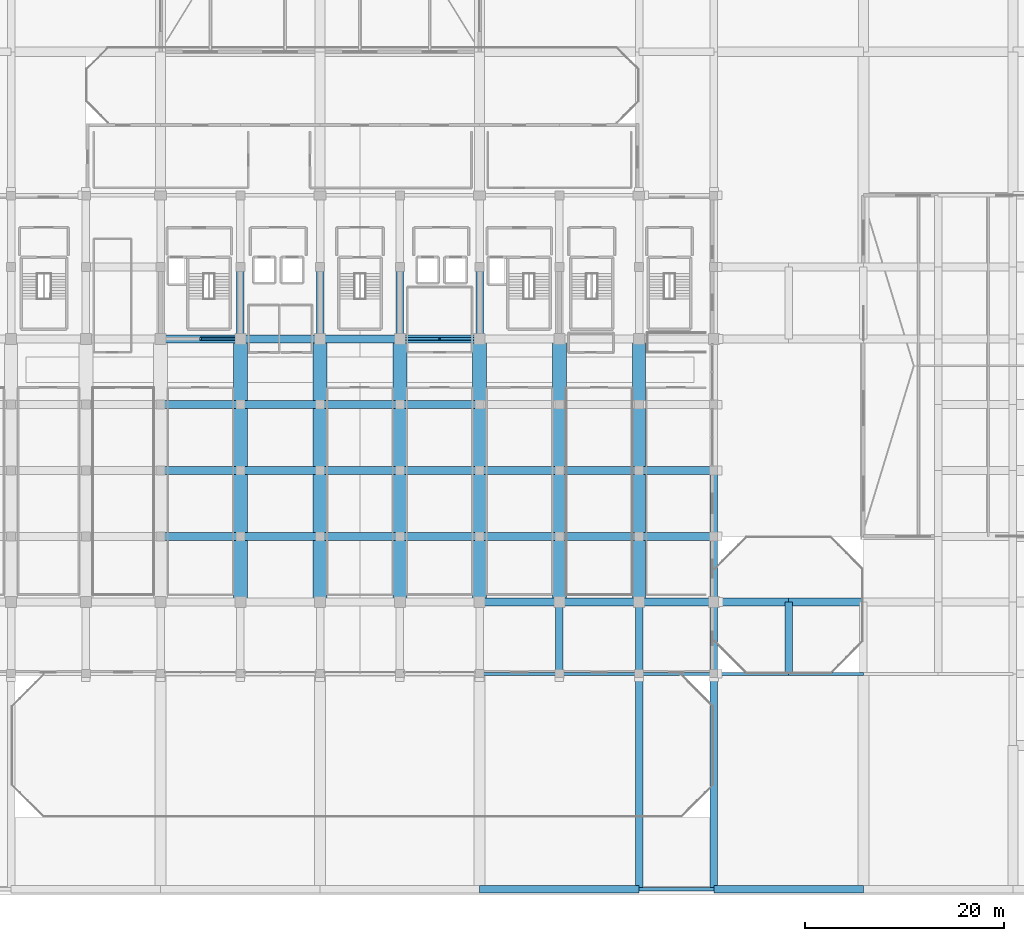
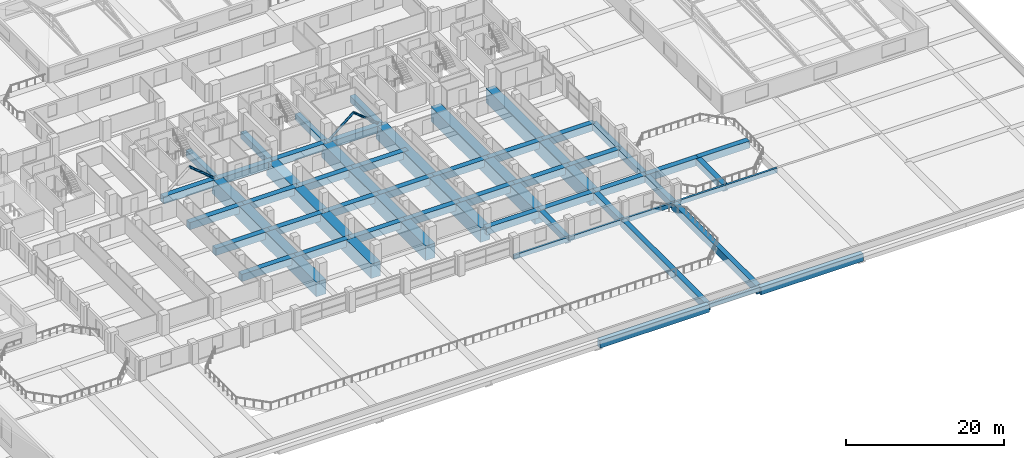
# One storey, part 15 of 49: 53 beams, 3 members.
"""IFC4 building model written with IfcOpenShell, lengths in metres."""

from ifc_helpers import new_model, si_unit, direction, frame, origin, origin_2d, place, context, subcontext, project, spatial, rectangle, hollow_circle, extrude, material, material_profile, profile_set, type_object, element, save


model = new_model("IFC4")

# Units and contexts
model_context = context("Model", 3, precision=1e-05, world=origin(), true_north=direction((0.0, 1.0)))
body_context = subcontext(model_context, "Body", "Model", "MODEL_VIEW")
ifc_project = project(units=[si_unit("LENGTHUNIT", "METRE"), si_unit("AREAUNIT", "SQUARE_METRE"), si_unit("VOLUMEUNIT", "CUBIC_METRE"), si_unit("PLANEANGLEUNIT", "RADIAN"), si_unit("MASSUNIT", "GRAM", prefix="KILO")], contexts=[model_context])

# Site, building, storey
site_placement = place(None, origin())
site = spatial("IfcSite", under=ifc_project, at=site_placement, CompositionType="ELEMENT")
building_placement = place(site_placement, origin())
building = spatial("IfcBuilding", under=site, at=building_placement, Name="Akrevak Sports Hall", CompositionType="ELEMENT")
storey_placement = place(building_placement, frame((0.0, 0.0, 24.14990234375)))
storey = spatial("IfcBuildingStorey", under=building, at=storey_placement, Name="L04", CompositionType="ELEMENT", Elevation=24.14990234375)

# Beams
ifc_material_1 = material(Name="Concrete C50/60", Category="concrete")
ifc_material_profile_1 = material_profile(ifc_material_1, rectangle(XDim=1.300048828125, YDim=2.25, at=origin_2d()), Name="PTG 1300x2250", Category="concrete")
ifc_profile_set_1 = profile_set([ifc_material_profile_1], Name="Concrete C50/60")
beam_type_1 = type_object("IfcBeamType", Name="PT-Transfer-Girder-1300x2250", PredefinedType="USERDEFINED", material=ifc_profile_set_1)
beam_1_placement = place(storey_placement, frame((108.0, 28.800048828125, -1.125), z_axis=(0.0, 1.0, 0.0), x_axis=(-1.0, 0.0, 0.0)))
element("IfcBeam", 1, at=beam_1_placement, inside=storey, type_object=beam_type_1, Name="PT Transfer Girder PTG-L04-15 (26.4m Clear Span)", ObjectType="PT TRANSFER GIRDER", PredefinedType="USERDEFINED", context=body_context, shape_type="SweptSolid", body=[
    extrude(rectangle(XDim=1.300048828125, YDim=2.25, at=origin_2d()), origin(), (0.0, 0.0, 1.0), 26.39990234375),
])
ifc_material_profile_2 = material_profile(ifc_material_1, rectangle(XDim=1.39990234375, YDim=2.25, at=origin_2d()), Name="PTG 1400x2250", Category="concrete")
ifc_profile_set_2 = profile_set([ifc_material_profile_2], Name="Concrete C50/60")
beam_type_2 = type_object("IfcBeamType", Name="PT-Transfer-Girder-1400x2250", PredefinedType="USERDEFINED", material=ifc_profile_set_2)
for number, where, z_axis, x_axis, name in (
    (2, (68.0, 28.800048828125, -1.125), (0.0, 1.0, 0.0), (-1.0, 0.0, 0.0), "PT Transfer Girder PTG-L04-10 (26.4m Clear Span)"),
    (3, (76.0, 28.800048828125, -1.125), (0.0, 1.0, 0.0), (-1.0, 0.0, 0.0), "PT Transfer Girder PTG-L04-11 (26.4m Clear Span)"),
    (4, (84.0, 28.800048828125, -1.125), (0.0, 1.0, 0.0), (-1.0, 0.0, 0.0), "PT Transfer Girder PTG-L04-12 (26.4m Clear Span)"),
    (5, (92.0, 28.800048828125, -1.125), (0.0, 1.0, 0.0), (-1.0, 0.0, 0.0), "PT Transfer Girder PTG-L04-13 (26.4m Clear Span)"),
    (6, (100.0, 28.800048828125, -1.125), (0.0, 1.0, 0.0), (-1.0, 0.0, 0.0), "PT Transfer Girder PTG-L04-14 (26.4m Clear Span)"),
):
    element("IfcBeam", number, at=place(storey_placement, frame(where, z_axis=z_axis, x_axis=x_axis)), inside=storey, type_object=beam_type_2, Name=name, ObjectType="PT TRANSFER GIRDER", PredefinedType="USERDEFINED", context=body_context, shape_type="SweptSolid", body=[
        extrude(rectangle(XDim=1.39990234375, YDim=2.25, at=origin_2d()), origin(), (0.0, 0.0, 1.0), 26.39990234375),
    ])
ifc_material_profile_3 = material_profile(ifc_material_1, rectangle(XDim=0.75, YDim=1.0, at=origin_2d()), Name="BM 750x1000", Category="concrete")
ifc_profile_set_3 = profile_set([ifc_material_profile_3], Name="Concrete C50/60")
beam_type_3 = type_object("IfcBeamType", Name="STR-BM-RC750x1000", PredefinedType="BEAM", material=ifc_profile_set_3)
for number, where, z_axis, x_axis, name in (
    (7, (68.0, 55.199951171875, -0.5), (0.0, 1.0, 0.0), (-1.0, 0.0, 0.0), "Girder 10/I-J (L04)"),
    (8, (76.0, 55.199951171875, -0.5), (0.0, 1.0, 0.0), (-1.0, 0.0, 0.0), "Girder 11/I-J (L04)"),
    (9, (84.0, 55.199951171875, -0.5), (0.0, 1.0, 0.0), (-1.0, 0.0, 0.0), "Girder 12/I-J (L04)"),
    (10, (92.0, 55.199951171875, -0.5), (0.0, 1.0, 0.0), (-1.0, 0.0, 0.0), "Girder 13/I-J (L04)"),
    (11, (100.0, 21.60009765625, -0.5), (0.0, 1.0, 0.0), (-1.0, 0.0, 0.0), "Girder 14/D-E (L04)"),
    (12, (108.0, 21.60009765625, -0.5), (0.0, 1.0, 0.0), (-1.0, 0.0, 0.0), "Girder 15/D-E (L04)"),
    (13, (115.5, 21.60009765625, -0.5), (0.0, 1.0, 0.0), (-1.0, 0.0, 0.0), "Girder 16/D-E (L04)"),
):
    element("IfcBeam", number, at=place(storey_placement, frame(where, z_axis=z_axis, x_axis=x_axis)), inside=storey, type_object=beam_type_3, Name=name, PredefinedType="BEAM", context=body_context, shape_type="SweptSolid", body=[
        extrude(rectangle(XDim=0.75, YDim=1.0, at=origin_2d()), origin(), (0.0, 0.0, 1.0), 7.199951171875),
    ])
beam_2_placement = place(storey_placement, frame((115.5, 28.800048828125, -0.5), z_axis=(0.0, 1.0, 0.0), x_axis=(-1.0, 0.0, 0.0)))
element("IfcBeam", 14, at=beam_2_placement, inside=storey, type_object=beam_type_3, Name="Girder 16/E-F (L04)", PredefinedType="BEAM", context=body_context, shape_type="SweptSolid", body=[
    extrude(rectangle(XDim=0.75, YDim=1.0, at=origin_2d()), origin(), (0.0, 0.0, 1.0), 6.599853515625),
])
beam_3_placement = place(storey_placement, frame((115.5, 35.39990234375, -0.5), z_axis=(0.0, 1.0, 0.0), x_axis=(-1.0, 0.0, 0.0)))
element("IfcBeam", 15, at=beam_3_placement, inside=storey, type_object=beam_type_3, Name="Girder 16/F-G (L04)", PredefinedType="BEAM", context=body_context, shape_type="SweptSolid", body=[
    extrude(rectangle(XDim=0.75, YDim=1.0, at=origin_2d()), origin(), (0.0, 0.0, 1.0), 6.60009765625),
])
beam_4_placement = place(storey_placement, frame((123.0, 21.60009765625, -0.5), z_axis=(0.0, 1.0, 0.0), x_axis=(-1.0, 0.0, 0.0)))
element("IfcBeam", 16, at=beam_4_placement, inside=storey, type_object=beam_type_3, Name="Girder 17/D-E (L04)", PredefinedType="BEAM", context=body_context, shape_type="SweptSolid", body=[
    extrude(rectangle(XDim=0.75, YDim=1.0, at=origin_2d()), origin(), (0.0, 0.0, 1.0), 7.199951171875),
])
ifc_material_profile_4 = material_profile(ifc_material_1, rectangle(XDim=0.800048828125, YDim=1.10009765625, at=origin_2d()), Name="BM 800x1100", Category="concrete")
ifc_profile_set_4 = profile_set([ifc_material_profile_4], Name="Concrete C50/60")
beam_type_4 = type_object("IfcBeamType", Name="STR-BM-RC800x1100", PredefinedType="BEAM", material=ifc_profile_set_4)
for number, where, z_axis, x_axis, name in (
    (17, (92.0, 28.800048828125, -0.5498046875), (1.0, 0.0, 0.0), (0.0, 1.0, 0.0), "Girder E/13-14 (L04)"),
    (18, (100.0, 28.800048828125, -0.5498046875), (1.0, 0.0, 0.0), (0.0, 1.0, 0.0), "Girder E/14-15 (L04)"),
):
    element("IfcBeam", number, at=place(storey_placement, frame(where, z_axis=z_axis, x_axis=x_axis)), inside=storey, type_object=beam_type_4, Name=name, PredefinedType="BEAM", context=body_context, shape_type="SweptSolid", body=[
        extrude(rectangle(XDim=0.800048828125, YDim=1.10009765625, at=origin_2d()), origin(), (0.0, 0.0, 1.0), 8.0),
    ])
for number, where, z_axis, x_axis, name in (
    (19, (108.0, 28.800048828125, -0.5498046875), (1.0, 0.0, 0.0), (0.0, 1.0, 0.0), "Girder E/15-16 (L04)"),
    (20, (115.5, 28.800048828125, -0.5498046875), (1.0, 0.0, 0.0), (0.0, 1.0, 0.0), "Girder E/16-17 (L04)"),
    (21, (123.0, 28.800048828125, -0.5498046875), (1.0, 0.0, 0.0), (0.0, 1.0, 0.0), "Girder E/17-18 (L04)"),
):
    element("IfcBeam", number, at=place(storey_placement, frame(where, z_axis=z_axis, x_axis=x_axis)), inside=storey, type_object=beam_type_4, Name=name, PredefinedType="BEAM", context=body_context, shape_type="SweptSolid", body=[
        extrude(rectangle(XDim=0.800048828125, YDim=1.10009765625, at=origin_2d()), origin(), (0.0, 0.0, 1.0), 7.5),
    ])
for number, where, z_axis, x_axis, name in (
    (22, (60.0, 35.39990234375, -0.5498046875), (1.0, 0.0, 0.0), (0.0, 1.0, 0.0), "Girder F/9-10 (L04)"),
    (23, (68.0, 35.39990234375, -0.5498046875), (1.0, 0.0, 0.0), (0.0, 1.0, 0.0), "Girder F/10-11 (L04)"),
    (24, (76.0, 35.39990234375, -0.5498046875), (1.0, 0.0, 0.0), (0.0, 1.0, 0.0), "Girder F/11-12 (L04)"),
    (25, (84.0, 35.39990234375, -0.5498046875), (1.0, 0.0, 0.0), (0.0, 1.0, 0.0), "Girder F/12-13 (L04)"),
    (26, (92.0, 35.39990234375, -0.5498046875), (1.0, 0.0, 0.0), (0.0, 1.0, 0.0), "Girder F/13-14 (L04)"),
    (27, (100.0, 35.39990234375, -0.5498046875), (1.0, 0.0, 0.0), (0.0, 1.0, 0.0), "Girder F/14-15 (L04)"),
):
    element("IfcBeam", number, at=place(storey_placement, frame(where, z_axis=z_axis, x_axis=x_axis)), inside=storey, type_object=beam_type_4, Name=name, PredefinedType="BEAM", context=body_context, shape_type="SweptSolid", body=[
        extrude(rectangle(XDim=0.800048828125, YDim=1.10009765625, at=origin_2d()), origin(), (0.0, 0.0, 1.0), 8.0),
    ])
beam_5_placement = place(storey_placement, frame((108.0, 35.39990234375, -0.5498046875), z_axis=(1.0, 0.0, 0.0), x_axis=(0.0, 1.0, 0.0)))
element("IfcBeam", 28, at=beam_5_placement, inside=storey, type_object=beam_type_4, Name="Girder F/15-16 (L04)", PredefinedType="BEAM", context=body_context, shape_type="SweptSolid", body=[
    extrude(rectangle(XDim=0.800048828125, YDim=1.10009765625, at=origin_2d()), origin(), (0.0, 0.0, 1.0), 7.5),
])
for number, where, z_axis, x_axis, name in (
    (29, (60.0, 42.0, -0.5498046875), (1.0, 0.0, 0.0), (0.0, 1.0, 0.0), "Girder G/9-10 (L04)"),
    (30, (68.0, 42.0, -0.5498046875), (1.0, 0.0, 0.0), (0.0, 1.0, 0.0), "Girder G/10-11 (L04)"),
    (31, (76.0, 42.0, -0.5498046875), (1.0, 0.0, 0.0), (0.0, 1.0, 0.0), "Girder G/11-12 (L04)"),
    (32, (84.0, 42.0, -0.5498046875), (1.0, 0.0, 0.0), (0.0, 1.0, 0.0), "Girder G/12-13 (L04)"),
    (33, (92.0, 42.0, -0.5498046875), (1.0, 0.0, 0.0), (0.0, 1.0, 0.0), "Girder G/13-14 (L04)"),
    (34, (100.0, 42.0, -0.5498046875), (1.0, 0.0, 0.0), (0.0, 1.0, 0.0), "Girder G/14-15 (L04)"),
):
    element("IfcBeam", number, at=place(storey_placement, frame(where, z_axis=z_axis, x_axis=x_axis)), inside=storey, type_object=beam_type_4, Name=name, PredefinedType="BEAM", context=body_context, shape_type="SweptSolid", body=[
        extrude(rectangle(XDim=0.800048828125, YDim=1.10009765625, at=origin_2d()), origin(), (0.0, 0.0, 1.0), 8.0),
    ])
beam_6_placement = place(storey_placement, frame((108.0, 42.0, -0.5498046875), z_axis=(1.0, 0.0, 0.0), x_axis=(0.0, 1.0, 0.0)))
element("IfcBeam", 35, at=beam_6_placement, inside=storey, type_object=beam_type_4, Name="Girder G/15-16 (L04)", PredefinedType="BEAM", context=body_context, shape_type="SweptSolid", body=[
    extrude(rectangle(XDim=0.800048828125, YDim=1.10009765625, at=origin_2d()), origin(), (0.0, 0.0, 1.0), 7.5),
])
for number, where, z_axis, x_axis, name in (
    (36, (60.0, 48.60009765625, -0.5498046875), (1.0, 0.0, 0.0), (0.0, 1.0, 0.0), "Girder H/9-10 (L04)"),
    (37, (68.0, 48.60009765625, -0.5498046875), (1.0, 0.0, 0.0), (0.0, 1.0, 0.0), "Girder H/10-11 (L04)"),
    (38, (76.0, 48.60009765625, -0.5498046875), (1.0, 0.0, 0.0), (0.0, 1.0, 0.0), "Girder H/11-12 (L04)"),
    (39, (84.0, 48.60009765625, -0.5498046875), (1.0, 0.0, 0.0), (0.0, 1.0, 0.0), "Girder H/12-13 (L04)"),
    (40, (60.0, 55.199951171875, -0.5498046875), (1.0, 0.0, 0.0), (0.0, 1.0, 0.0), "Girder I/9-10 (L04)"),
    (41, (68.0, 55.199951171875, -0.5498046875), (1.0, 0.0, 0.0), (0.0, 1.0, 0.0), "Girder I/10-11 (L04)"),
    (42, (76.0, 55.199951171875, -0.5498046875), (1.0, 0.0, 0.0), (0.0, 1.0, 0.0), "Girder I/11-12 (L04)"),
    (43, (84.0, 55.199951171875, -0.5498046875), (1.0, 0.0, 0.0), (0.0, 1.0, 0.0), "Girder I/12-13 (L04)"),
):
    element("IfcBeam", number, at=place(storey_placement, frame(where, z_axis=z_axis, x_axis=x_axis)), inside=storey, type_object=beam_type_4, Name=name, PredefinedType="BEAM", context=body_context, shape_type="SweptSolid", body=[
        extrude(rectangle(XDim=0.800048828125, YDim=1.10009765625, at=origin_2d()), origin(), (0.0, 0.0, 1.0), 8.0),
    ])

# Members
ifc_material_2 = material(Name="Steel S355", Category="steel")
ifc_material_profile_5 = material_profile(ifc_material_2, hollow_circle(Radius=0.161865234375, WallThickness=0.01611328125, at=origin_2d()), Name="CHS 323.9x16", Category="steel")
ifc_profile_set_5 = profile_set([ifc_material_profile_5], Name="Steel S355")
member_type_1 = type_object("IfcMemberType", Name="STR-MEM-BRACE-CHS323", PredefinedType="BRACE", material=ifc_profile_set_5)
for number, where, z_axis, x_axis, name in (
    (44, (84.449951171875, 55.199951171875, 0.10009765625), (0.770184357505, 0.0, 0.637821335058), (0.0, 1.0, 0.0), "Tower Chevron Steel Brace L04-2A"),
    (45, (91.550048828125, 55.199951171875, 0.10009765625), (-0.770184357505, 0.0, 0.637821335058), (0.0, -1.0, 0.0), "Tower Chevron Steel Brace L04-2B"),
):
    element("IfcMember", number, at=place(storey_placement, frame(where, z_axis=z_axis, x_axis=x_axis)), inside=storey, type_object=member_type_1, Name=name, PredefinedType="BRACE", context=body_context, shape_type="SweptSolid", body=[
        extrude(hollow_circle(Radius=0.161865234375, WallThickness=0.01611328125, at=origin_2d()), origin(), (0.0, 0.0, 1.0), 4.609375),
    ])
ifc_material_profile_6 = material_profile(ifc_material_2, hollow_circle(Radius=0.177734375, WallThickness=0.01611328125, at=origin_2d()), Name="CHS 355.6x16", Category="steel")
ifc_profile_set_6 = profile_set([ifc_material_profile_6], Name="Steel S355")
member_type_2 = type_object("IfcMemberType", Name="STR-MEM-BRACE-CHS355", PredefinedType="BRACE", material=ifc_profile_set_6)
member_placement = place(storey_placement, frame((67.550048828125, 55.199951171875, 0.10009765625), z_axis=(-0.770184357505, 0.0, 0.637821335058), x_axis=(0.0, -1.0, 0.0)))
element("IfcMember", 46, at=member_placement, inside=storey, type_object=member_type_2, Name="Tower Chevron Steel Brace L04-1B", PredefinedType="BRACE", context=body_context, shape_type="SweptSolid", body=[
    extrude(hollow_circle(Radius=0.177734375, WallThickness=0.01611328125, at=origin_2d()), origin(), (0.0, 0.0, 1.0), 4.609375),
])

# Beams
ifc_material_profile_7 = material_profile(ifc_material_1, rectangle(XDim=0.75, YDim=1.14990234375, at=origin_2d()), Name="SPD 750x1150", Category="concrete")
ifc_profile_set_7 = profile_set([ifc_material_profile_7], Name="Concrete C50/60")
beam_type_5 = type_object("IfcBeamType", Name="STR-SPD-LSP750x1150", PredefinedType="SPANDREL", material=ifc_profile_set_7)
beam_7_placement = place(storey_placement, frame((92.0, 0.0, -0.574951171875), z_axis=(1.0, 0.0, 0.0), x_axis=(0.0, 1.0, 0.0)))
element("IfcBeam", 47, at=beam_7_placement, inside=storey, type_object=beam_type_5, Name="Girder A/13-15 (L04)", PredefinedType="SPANDREL", context=body_context, shape_type="SweptSolid", body=[
    extrude(rectangle(XDim=0.75, YDim=1.14990234375, at=origin_2d()), origin(), (0.0, 0.0, 1.0), 16.0),
])
beam_8_placement = place(storey_placement, frame((115.5, 0.0, -0.574951171875), z_axis=(1.0, 0.0, 0.0), x_axis=(0.0, 1.0, 0.0)))
element("IfcBeam", 48, at=beam_8_placement, inside=storey, type_object=beam_type_5, Name="Girder A/16-18 (L04)", PredefinedType="SPANDREL", context=body_context, shape_type="SweptSolid", body=[
    extrude(rectangle(XDim=0.75, YDim=1.14990234375, at=origin_2d()), origin(), (0.0, 0.0, 1.0), 15.0),
])
for number, where, z_axis, x_axis, name in (
    (49, (108.0, 0.0, -0.574951171875), (0.0, 1.0, 0.0), (-1.0, 0.0, 0.0), "Girder 15/A-D (L04)"),
    (50, (115.5, 0.0, -0.574951171875), (0.0, 1.0, 0.0), (-1.0, 0.0, 0.0), "Girder 16/A-D (L04)"),
):
    element("IfcBeam", number, at=place(storey_placement, frame(where, z_axis=z_axis, x_axis=x_axis)), inside=storey, type_object=beam_type_5, Name=name, PredefinedType="SPANDREL", context=body_context, shape_type="SweptSolid", body=[
        extrude(rectangle(XDim=0.75, YDim=1.14990234375, at=origin_2d()), origin(), (0.0, 0.0, 1.0), 21.60009765625),
    ])
ifc_material_3 = material(Name="Concrete C40/50", Category="concrete")
ifc_material_profile_8 = material_profile(ifc_material_3, rectangle(XDim=0.320068359375, YDim=0.679931640625, at=origin_2d()), Name="SPD 320x680", Category="concrete")
ifc_profile_set_8 = profile_set([ifc_material_profile_8], Name="Concrete C40/50")
beam_type_6 = type_object("IfcBeamType", Name="STR-SPD-RC320x680", PredefinedType="SPANDREL", material=ifc_profile_set_8)
beam_9_placement = place(storey_placement, frame((108.0, 0.0, -0.33984375), z_axis=(1.0, 0.0, 0.0), x_axis=(0.0, 1.0, 0.0)))
element("IfcBeam", 51, at=beam_9_placement, inside=storey, type_object=beam_type_6, Name="Girder A/15-16 (L04)", PredefinedType="SPANDREL", context=body_context, shape_type="SweptSolid", body=[
    extrude(rectangle(XDim=0.320068359375, YDim=0.679931640625, at=origin_2d()), origin(), (0.0, 0.0, 1.0), 7.5),
])
for number, where, z_axis, x_axis, name in (
    (52, (92.0, 21.60009765625, -0.33984375), (1.0, 0.0, 0.0), (0.0, 1.0, 0.0), "Girder D/13-14 (L04)"),
    (53, (100.0, 21.60009765625, -0.33984375), (1.0, 0.0, 0.0), (0.0, 1.0, 0.0), "Girder D/14-15 (L04)"),
):
    element("IfcBeam", number, at=place(storey_placement, frame(where, z_axis=z_axis, x_axis=x_axis)), inside=storey, type_object=beam_type_6, Name=name, PredefinedType="SPANDREL", context=body_context, shape_type="SweptSolid", body=[
        extrude(rectangle(XDim=0.320068359375, YDim=0.679931640625, at=origin_2d()), origin(), (0.0, 0.0, 1.0), 8.0),
    ])
for number, where, z_axis, x_axis, name in (
    (54, (108.0, 21.60009765625, -0.33984375), (1.0, 0.0, 0.0), (0.0, 1.0, 0.0), "Girder D/15-16 (L04)"),
    (55, (115.5, 21.60009765625, -0.33984375), (1.0, 0.0, 0.0), (0.0, 1.0, 0.0), "Girder D/16-17 (L04)"),
    (56, (123.0, 21.60009765625, -0.33984375), (1.0, 0.0, 0.0), (0.0, 1.0, 0.0), "Girder D/17-18 (L04)"),
):
    element("IfcBeam", number, at=place(storey_placement, frame(where, z_axis=z_axis, x_axis=x_axis)), inside=storey, type_object=beam_type_6, Name=name, PredefinedType="SPANDREL", context=body_context, shape_type="SweptSolid", body=[
        extrude(rectangle(XDim=0.320068359375, YDim=0.679931640625, at=origin_2d()), origin(), (0.0, 0.0, 1.0), 7.5),
    ])

save(model, "model.ifc")
